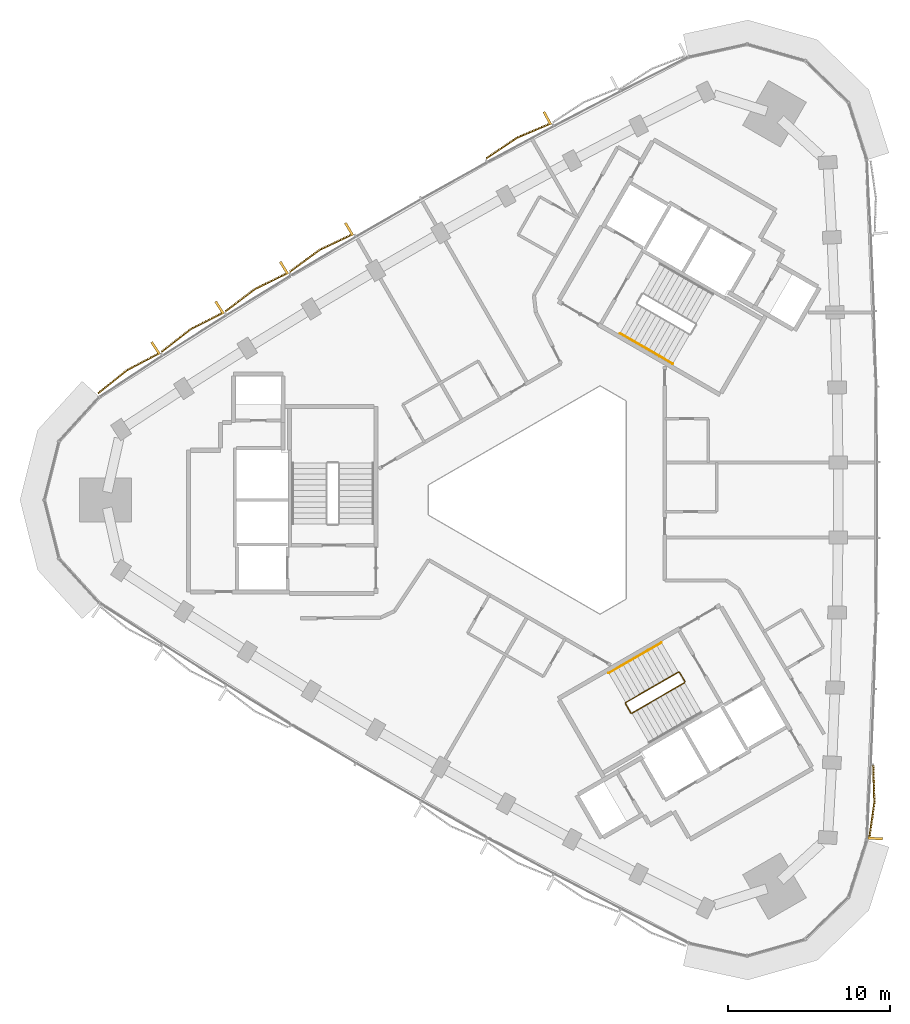
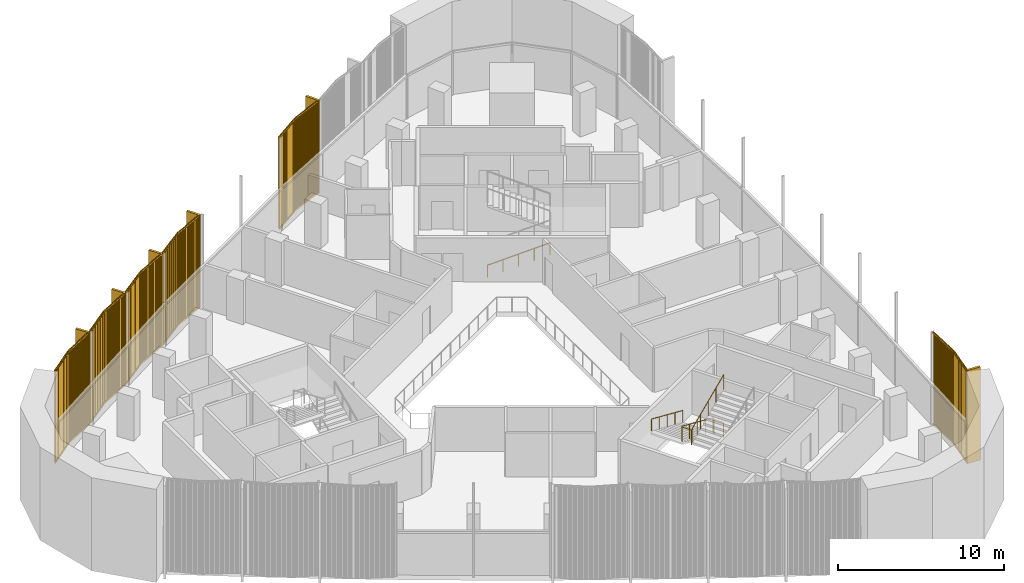
# One storey, part 12 of 13: 6 coverings, 3 railings.
"""IFC4 building model written with IfcOpenShell, lengths in metres."""

from ifc_helpers import new_model, si_unit, direction, frame, frame_2d, origin, origin_2d, place, context, subcontext, project, spatial, rectangle, circle, extrude, source, transform, mapped, material, type_object, element, save


model = new_model("IFC4")

# Units and contexts
model_context = context("Model", 3, precision=1e-05, world=origin(), true_north=direction((0.0, 1.0)))
body_context = subcontext(model_context, "Body", "Model", "MODEL_VIEW")
ifc_project = project(units=[si_unit("LENGTHUNIT", "METRE"), si_unit("AREAUNIT", "SQUARE_METRE"), si_unit("VOLUMEUNIT", "CUBIC_METRE"), si_unit("PLANEANGLEUNIT", "RADIAN"), si_unit("MASSUNIT", "GRAM", prefix="KILO")], contexts=[model_context])

# Site, building, storey
site_placement = place(None, origin())
site = spatial("IfcSite", under=ifc_project, at=site_placement, CompositionType="ELEMENT")
building_placement = place(site_placement, origin())
building = spatial("IfcBuilding", under=site, at=building_placement, Name="Tamra Quay Hotel Tower", CompositionType="ELEMENT")
storey_placement = place(building_placement, frame((0.0, 0.0, 186.39990234375)))
storey = spatial("IfcBuildingStorey", under=building, at=storey_placement, Name="L46", CompositionType="ELEMENT", Elevation=186.39990234375)

# Railings
ifc_material_1 = material(Name="Stair guard 1100")
railing_type_1 = type_object("IfcRailingType", Name="Stair guard 1100", PredefinedType="GUARDRAIL", material=ifc_material_1)
railing_1_placement = place(storey_placement, frame((8.245849609375, -11.221923828125, 0.0)))
element("IfcRailing", 1, at=railing_1_placement, inside=storey, type_object=railing_type_1, Name="GR", PredefinedType="GUARDRAIL", context=body_context, shape_type="SweptSolid", body=[
    extrude(circle(Radius=0.02392578125, at=origin_2d()), frame((0.0, 0.0, 1.076171875), z_axis=(-0.500043078269, 0.866000531106, 0.0), x_axis=(-0.866000531106, -0.500043078269, 0.0)), (0.0, 0.0, 1.0), 0.6591796875),
    extrude(circle(Radius=0.02392578125, at=origin_2d()), frame((-0.32958984375, 0.57080078125, 1.076171875), z_axis=(-0.411831509231, 0.110312011401, 0.90455849349), x_axis=(-0.258736085224, -0.965948051503, 0.0)), (0.0, 0.0, 1.0), 0.166015625),
    extrude(circle(Radius=0.02392578125, at=origin_2d()), frame((-0.39794921875, 0.589111328125, 1.22607421875), z_axis=(-0.793100512587, -0.457912285461, 0.401631567183), x_axis=(0.500012686397, -0.866018079166, 0.0)), (0.0, 0.0, 1.0), 4.10791015625),
    extrude(circle(Radius=0.02392578125, at=origin_2d()), frame((-3.656005859375, -1.2919921875, 2.8759765625), z_axis=(-0.256368644879, -0.966579080015, 0.0), x_axis=(0.966579080015, -0.256368644879, 0.0)), (0.0, 0.0, 1.0), 0.070556640625),
    extrude(circle(Radius=0.02392578125, at=origin_2d()), frame((-3.674072265625, -1.360107421875, 2.8759765625), z_axis=(0.499765215335, -0.866160914346, 0.0), x_axis=(0.866160914346, 0.499765215335, 0.0)), (0.0, 0.0, 1.0), 0.658935546875),
    extrude(circle(Radius=0.02392578125, at=origin_2d()), frame((-3.3447265625, -1.930908203125, 2.8759765625), z_axis=(0.411831509231, -0.110312011401, 0.90455849349), x_axis=(0.258736085224, 0.965948051503, 0.0)), (0.0, 0.0, 1.0), 0.166015625),
    extrude(circle(Radius=0.02392578125, at=origin_2d()), frame((-3.2763671875, -1.94921875, 3.0263671875), z_axis=(0.793100512587, 0.457912285461, 0.401631567183), x_axis=(-0.500012686397, 0.866018079166, 0.0)), (0.0, 0.0, 1.0), 4.10791015625),
    extrude(circle(Radius=0.02099609375, at=origin_2d()), origin(), (0.0, 0.0, 1.0), 1.052001953125),
    extrude(circle(Radius=0.02099609375, at=origin_2d()), frame((-0.32958984375, 0.57080078125, 0.0)), (0.0, 0.0, 1.0), 1.052001953125),
    extrude(circle(Radius=0.02099609375, at=origin_2d()), frame((-0.39794921875, 0.589111328125, 0.150146484375)), (0.0, 0.0, 1.0), 1.052001953125),
    extrude(circle(Radius=0.02099609375, at=origin_2d()), frame((-1.21240234375, 0.118896484375, 0.5625)), (0.0, 0.0, 1.0), 1.052001953125),
    extrude(circle(Radius=0.02099609375, at=origin_2d()), frame((-2.02685546875, -0.3515625, 0.97509765625)), (0.0, 0.0, 1.0), 1.052001953125),
    extrude(circle(Radius=0.02099609375, at=origin_2d()), frame((-2.841552734375, -0.82177734375, 1.3876953125)), (0.0, 0.0, 1.0), 1.052001953125),
    extrude(circle(Radius=0.02099609375, at=origin_2d()), frame((-3.656005859375, -1.2919921875, 1.800048828125)), (0.0, 0.0, 1.0), 1.052001953125),
    extrude(circle(Radius=0.02099609375, at=origin_2d()), frame((-3.674072265625, -1.360107421875, 1.800048828125)), (0.0, 0.0, 1.0), 1.052001953125),
    extrude(circle(Radius=0.02099609375, at=origin_2d()), frame((-3.3447265625, -1.930908203125, 1.800048828125)), (0.0, 0.0, 1.0), 1.052001953125),
    extrude(circle(Radius=0.02099609375, at=origin_2d()), frame((-3.2763671875, -1.94921875, 1.9501953125)), (0.0, 0.0, 1.0), 1.052001953125),
    extrude(circle(Radius=0.02099609375, at=origin_2d()), frame((-2.4619140625, -1.47900390625, 2.36279296875)), (0.0, 0.0, 1.0), 1.052001953125),
    extrude(circle(Radius=0.02099609375, at=origin_2d()), frame((-1.6474609375, -1.0087890625, 2.775146484375)), (0.0, 0.0, 1.0), 1.052001953125),
    extrude(circle(Radius=0.02099609375, at=origin_2d()), frame((-0.832763671875, -0.538330078125, 3.1875)), (0.0, 0.0, 1.0), 1.052001953125),
    extrude(circle(Radius=0.02099609375, at=origin_2d()), frame((-0.018310546875, -0.068115234375, 3.60009765625)), (0.0, 0.0, 1.0), 1.052001953125),
])
ifc_material_2 = material(Name="Stair handrail 900")
railing_type_2 = type_object("IfcRailingType", Name="Stair handrail 900", PredefinedType="HANDRAIL", material=ifc_material_2)
railing_2_placement = place(storey_placement, frame((4.234375, 10.294189453125, 0.150146484375)))
element("IfcRailing", 2, at=railing_2_placement, inside=storey, type_object=railing_type_2, Name="HR", PredefinedType="HANDRAIL", context=body_context, shape_type="SweptSolid", body=[
    extrude(circle(Radius=0.02392578125, at=origin_2d()), frame((0.0, 0.0, 0.8759765625), z_axis=(0.793122095483, -0.45786531462, 0.401642496911), x_axis=(0.499964013922, 0.86604617936, 0.0)), (0.0, 0.0, 1.0), 4.10791015625),
    extrude(circle(Radius=0.02099609375, at=origin_2d()), origin(), (0.0, 0.0, 1.0), 0.851806640625),
    extrude(circle(Radius=0.02099609375, at=origin_2d()), frame((0.814453125, -0.47021484375, 0.41259765625)), (0.0, 0.0, 1.0), 0.851806640625),
    extrude(circle(Radius=0.02099609375, at=origin_2d()), frame((1.62890625, -0.9404296875, 0.824951171875)), (0.0, 0.0, 1.0), 0.851806640625),
    extrude(circle(Radius=0.02099609375, at=origin_2d()), frame((2.443603515625, -1.41064453125, 1.2373046875)), (0.0, 0.0, 1.0), 0.851806640625),
    extrude(circle(Radius=0.02099609375, at=origin_2d()), frame((3.258056640625, -1.880859375, 1.64990234375)), (0.0, 0.0, 1.0), 0.851806640625),
])
railing_3_placement = place(storey_placement, frame((6.7978515625, -8.814208984375, 0.150146484375)))
element("IfcRailing", 3, at=railing_3_placement, inside=storey, type_object=railing_type_2, Name="HR", PredefinedType="HANDRAIL", context=body_context, shape_type="SweptSolid", body=[
    extrude(circle(Radius=0.02392578125, at=origin_2d()), frame((0.0, 0.0, 0.8759765625), z_axis=(-0.79310004713, -0.457886897714, 0.401661429744), x_axis=(0.499992114976, -0.866029956157, 0.0)), (0.0, 0.0, 1.0), 4.107666015625),
    extrude(circle(Radius=0.02099609375, at=origin_2d()), origin(), (0.0, 0.0, 1.0), 0.851806640625),
    extrude(circle(Radius=0.02099609375, at=origin_2d()), frame((-0.814453125, -0.47021484375, 0.41259765625)), (0.0, 0.0, 1.0), 0.851806640625),
    extrude(circle(Radius=0.02099609375, at=origin_2d()), frame((-1.62890625, -0.9404296875, 0.824951171875)), (0.0, 0.0, 1.0), 0.851806640625),
    extrude(circle(Radius=0.02099609375, at=origin_2d()), frame((-2.443359375, -1.41064453125, 1.2373046875)), (0.0, 0.0, 1.0), 0.851806640625),
    extrude(circle(Radius=0.02099609375, at=origin_2d()), frame((-3.2578125, -1.880859375, 1.64990234375)), (0.0, 0.0, 1.0), 0.851806640625),
])

# Coverings
ifc_material_3 = material(Name="Terracotta baguette extruded", Category="masonry")
covering_type_1 = type_object("IfcCoveringType", Name="BAGUETTE SCREEN E-V H6850", PredefinedType="USERDEFINED", material=ifc_material_3)
shared_shape_1 = source(origin(), body_context, "Body", "SweptSolid", [
    extrude(rectangle(XDim=2.30126953125, YDim=0.06005859375, at=frame_2d((1.150634765625, 0.030029296875))), frame((-2.2978515625, -0.057861328125, -0.1201171875), z_axis=(0.0, 0.0, 1.0), x_axis=(0.996194698092, -0.087155742748, 0.0)), (0.0, 0.0, 1.0), 0.1201171875),
    extrude(rectangle(XDim=2.30126953125, YDim=0.06005859375, at=frame_2d((1.150634765625, 0.030029296875))), frame((-2.2978515625, -0.057861328125, -6.85009765625), z_axis=(0.0, 0.0, 1.0), x_axis=(0.996194698092, -0.087155742748, 0.0)), (0.0, 0.0, 1.0), 0.1201171875),
    extrude(rectangle(XDim=0.070068359375, YDim=0.10009765625, at=frame_2d((0.03515625, 0.050048828125))), frame((-2.277587890625, -0.13232421875, -6.7900390625)), (0.0, 0.0, 1.0), 6.72998046875),
    extrude(rectangle(XDim=0.070068359375, YDim=0.10009765625, at=frame_2d((0.03515625, 0.050048828125))), frame((-2.177978515625, -0.14111328125, -6.7900390625)), (0.0, 0.0, 1.0), 6.72998046875),
    extrude(rectangle(XDim=0.070068359375, YDim=0.10009765625, at=frame_2d((0.03515625, 0.050048828125))), frame((-2.078369140625, -0.14990234375, -6.7900390625)), (0.0, 0.0, 1.0), 6.72998046875),
    extrude(rectangle(XDim=0.070068359375, YDim=0.10009765625, at=frame_2d((0.03515625, 0.050048828125))), frame((-1.978759765625, -0.158447265625, -6.7900390625)), (0.0, 0.0, 1.0), 6.72998046875),
    extrude(rectangle(XDim=0.070068359375, YDim=0.10009765625, at=frame_2d((0.03515625, 0.050048828125))), frame((-1.87890625, -0.167236328125, -6.7900390625)), (0.0, 0.0, 1.0), 6.72998046875),
    extrude(rectangle(XDim=0.070068359375, YDim=0.10009765625, at=frame_2d((0.03515625, 0.050048828125))), frame((-1.779296875, -0.176025390625, -6.7900390625)), (0.0, 0.0, 1.0), 6.72998046875),
    extrude(rectangle(XDim=0.070068359375, YDim=0.10009765625, at=frame_2d((0.03515625, 0.050048828125))), frame((-1.6796875, -0.1845703125, -6.7900390625)), (0.0, 0.0, 1.0), 6.72998046875),
    extrude(rectangle(XDim=0.070068359375, YDim=0.10009765625, at=frame_2d((0.03515625, 0.050048828125))), frame((-1.579833984375, -0.193359375, -6.7900390625)), (0.0, 0.0, 1.0), 6.72998046875),
    extrude(rectangle(XDim=0.070068359375, YDim=0.10009765625, at=frame_2d((0.03515625, 0.050048828125))), frame((-1.480224609375, -0.2021484375, -6.7900390625)), (0.0, 0.0, 1.0), 6.72998046875),
    extrude(rectangle(XDim=0.070068359375, YDim=0.10009765625, at=frame_2d((0.03515625, 0.050048828125))), frame((-1.380615234375, -0.2109375, -6.7900390625)), (0.0, 0.0, 1.0), 6.72998046875),
    extrude(rectangle(XDim=0.070068359375, YDim=0.10009765625, at=frame_2d((0.03515625, 0.050048828125))), frame((-1.281005859375, -0.219482421875, -6.7900390625)), (0.0, 0.0, 1.0), 6.72998046875),
    extrude(rectangle(XDim=0.070068359375, YDim=0.10009765625, at=frame_2d((0.03515625, 0.050048828125))), frame((-1.18115234375, -0.228271484375, -6.7900390625)), (0.0, 0.0, 1.0), 6.72998046875),
    extrude(rectangle(XDim=0.070068359375, YDim=0.10009765625, at=frame_2d((0.03515625, 0.050048828125))), frame((-1.08154296875, -0.237060546875, -6.7900390625)), (0.0, 0.0, 1.0), 6.72998046875),
    extrude(rectangle(XDim=0.070068359375, YDim=0.10009765625, at=frame_2d((0.03515625, 0.050048828125))), frame((-0.98193359375, -0.24560546875, -6.7900390625)), (0.0, 0.0, 1.0), 6.72998046875),
    extrude(rectangle(XDim=0.070068359375, YDim=0.10009765625, at=frame_2d((0.03515625, 0.050048828125))), frame((-0.88232421875, -0.25439453125, -6.7900390625)), (0.0, 0.0, 1.0), 6.72998046875),
    extrude(rectangle(XDim=0.070068359375, YDim=0.10009765625, at=frame_2d((0.03515625, 0.050048828125))), frame((-0.782470703125, -0.26318359375, -6.7900390625)), (0.0, 0.0, 1.0), 6.72998046875),
    extrude(rectangle(XDim=0.070068359375, YDim=0.10009765625, at=frame_2d((0.03515625, 0.050048828125))), frame((-0.682861328125, -0.27197265625, -6.7900390625)), (0.0, 0.0, 1.0), 6.72998046875),
    extrude(rectangle(XDim=0.070068359375, YDim=0.10009765625, at=frame_2d((0.03515625, 0.050048828125))), frame((-0.583251953125, -0.280517578125, -6.7900390625)), (0.0, 0.0, 1.0), 6.72998046875),
    extrude(rectangle(XDim=0.070068359375, YDim=0.10009765625, at=frame_2d((0.03515625, 0.050048828125))), frame((-0.483642578125, -0.289306640625, -6.7900390625)), (0.0, 0.0, 1.0), 6.72998046875),
    extrude(rectangle(XDim=0.070068359375, YDim=0.10009765625, at=frame_2d((0.03515625, 0.050048828125))), frame((-0.3837890625, -0.298095703125, -6.7900390625)), (0.0, 0.0, 1.0), 6.72998046875),
    extrude(rectangle(XDim=0.070068359375, YDim=0.10009765625, at=frame_2d((0.03515625, 0.050048828125))), frame((-0.2841796875, -0.306884765625, -6.7900390625)), (0.0, 0.0, 1.0), 6.72998046875),
    extrude(rectangle(XDim=0.070068359375, YDim=0.10009765625, at=frame_2d((0.03515625, 0.050048828125))), frame((-0.1845703125, -0.3154296875, -6.7900390625)), (0.0, 0.0, 1.0), 6.72998046875),
    extrude(rectangle(XDim=0.070068359375, YDim=0.10009765625, at=frame_2d((0.03515625, 0.050048828125))), frame((-0.0849609375, -0.32421875, -6.7900390625)), (0.0, 0.0, 1.0), 6.72998046875),
    extrude(rectangle(XDim=2.30126953125, YDim=0.06005859375, at=frame_2d((1.150634765625, 0.030029296875))), frame((0.005126953125, -0.25830078125, -0.1201171875), z_axis=(0.0, 0.0, 1.0), x_axis=(0.996194698092, 0.087155742748, 0.0)), (0.0, 0.0, 1.0), 0.1201171875),
    extrude(rectangle(XDim=2.30126953125, YDim=0.06005859375, at=frame_2d((1.150634765625, 0.030029296875))), frame((0.005126953125, -0.25830078125, -6.85009765625), z_axis=(0.0, 0.0, 1.0), x_axis=(0.996194698092, 0.087155742748, 0.0)), (0.0, 0.0, 1.0), 0.1201171875),
    extrude(rectangle(XDim=0.070068359375, YDim=0.10009765625, at=frame_2d((0.03515625, 0.050048828125))), frame((0.014892578125, -0.32421875, -6.7900390625)), (0.0, 0.0, 1.0), 6.72998046875),
    extrude(rectangle(XDim=0.070068359375, YDim=0.10009765625, at=frame_2d((0.03515625, 0.050048828125))), frame((0.114501953125, -0.3154296875, -6.7900390625)), (0.0, 0.0, 1.0), 6.72998046875),
    extrude(rectangle(XDim=0.070068359375, YDim=0.10009765625, at=frame_2d((0.03515625, 0.050048828125))), frame((0.214111328125, -0.306884765625, -6.7900390625)), (0.0, 0.0, 1.0), 6.72998046875),
    extrude(rectangle(XDim=0.070068359375, YDim=0.10009765625, at=frame_2d((0.03515625, 0.050048828125))), frame((0.31396484375, -0.298095703125, -6.7900390625)), (0.0, 0.0, 1.0), 6.72998046875),
    extrude(rectangle(XDim=0.070068359375, YDim=0.10009765625, at=frame_2d((0.03515625, 0.050048828125))), frame((0.41357421875, -0.289306640625, -6.7900390625)), (0.0, 0.0, 1.0), 6.72998046875),
    extrude(rectangle(XDim=0.070068359375, YDim=0.10009765625, at=frame_2d((0.03515625, 0.050048828125))), frame((0.51318359375, -0.280517578125, -6.7900390625)), (0.0, 0.0, 1.0), 6.72998046875),
    extrude(rectangle(XDim=0.070068359375, YDim=0.10009765625, at=frame_2d((0.03515625, 0.050048828125))), frame((0.61279296875, -0.27197265625, -6.7900390625)), (0.0, 0.0, 1.0), 6.72998046875),
    extrude(rectangle(XDim=0.070068359375, YDim=0.10009765625, at=frame_2d((0.03515625, 0.050048828125))), frame((0.712646484375, -0.26318359375, -6.7900390625)), (0.0, 0.0, 1.0), 6.72998046875),
    extrude(rectangle(XDim=0.070068359375, YDim=0.10009765625, at=frame_2d((0.03515625, 0.050048828125))), frame((0.812255859375, -0.25439453125, -6.7900390625)), (0.0, 0.0, 1.0), 6.72998046875),
    extrude(rectangle(XDim=0.070068359375, YDim=0.10009765625, at=frame_2d((0.03515625, 0.050048828125))), frame((0.911865234375, -0.24560546875, -6.7900390625)), (0.0, 0.0, 1.0), 6.72998046875),
    extrude(rectangle(XDim=0.070068359375, YDim=0.10009765625, at=frame_2d((0.03515625, 0.050048828125))), frame((1.011474609375, -0.237060546875, -6.7900390625)), (0.0, 0.0, 1.0), 6.72998046875),
    extrude(rectangle(XDim=0.070068359375, YDim=0.10009765625, at=frame_2d((0.03515625, 0.050048828125))), frame((1.111328125, -0.228271484375, -6.7900390625)), (0.0, 0.0, 1.0), 6.72998046875),
    extrude(rectangle(XDim=0.070068359375, YDim=0.10009765625, at=frame_2d((0.03515625, 0.050048828125))), frame((1.2109375, -0.219482421875, -6.7900390625)), (0.0, 0.0, 1.0), 6.72998046875),
    extrude(rectangle(XDim=0.070068359375, YDim=0.10009765625, at=frame_2d((0.03515625, 0.050048828125))), frame((1.310546875, -0.2109375, -6.7900390625)), (0.0, 0.0, 1.0), 6.72998046875),
    extrude(rectangle(XDim=0.070068359375, YDim=0.10009765625, at=frame_2d((0.03515625, 0.050048828125))), frame((1.41015625, -0.2021484375, -6.7900390625)), (0.0, 0.0, 1.0), 6.72998046875),
    extrude(rectangle(XDim=0.070068359375, YDim=0.10009765625, at=frame_2d((0.03515625, 0.050048828125))), frame((1.510009765625, -0.193359375, -6.7900390625)), (0.0, 0.0, 1.0), 6.72998046875),
    extrude(rectangle(XDim=0.070068359375, YDim=0.10009765625, at=frame_2d((0.03515625, 0.050048828125))), frame((1.609619140625, -0.1845703125, -6.7900390625)), (0.0, 0.0, 1.0), 6.72998046875),
    extrude(rectangle(XDim=0.070068359375, YDim=0.10009765625, at=frame_2d((0.03515625, 0.050048828125))), frame((1.709228515625, -0.176025390625, -6.7900390625)), (0.0, 0.0, 1.0), 6.72998046875),
    extrude(rectangle(XDim=0.070068359375, YDim=0.10009765625, at=frame_2d((0.03515625, 0.050048828125))), frame((1.80908203125, -0.167236328125, -6.7900390625)), (0.0, 0.0, 1.0), 6.72998046875),
    extrude(rectangle(XDim=0.070068359375, YDim=0.10009765625, at=frame_2d((0.03515625, 0.050048828125))), frame((1.90869140625, -0.158447265625, -6.7900390625)), (0.0, 0.0, 1.0), 6.72998046875),
    extrude(rectangle(XDim=0.070068359375, YDim=0.10009765625, at=frame_2d((0.03515625, 0.050048828125))), frame((2.00830078125, -0.14990234375, -6.7900390625)), (0.0, 0.0, 1.0), 6.72998046875),
    extrude(rectangle(XDim=0.070068359375, YDim=0.10009765625, at=frame_2d((0.03515625, 0.050048828125))), frame((2.10791015625, -0.14111328125, -6.7900390625)), (0.0, 0.0, 1.0), 6.72998046875),
    extrude(rectangle(XDim=0.070068359375, YDim=0.10009765625, at=frame_2d((0.03515625, 0.050048828125))), frame((2.207763671875, -0.13232421875, -6.7900390625)), (0.0, 0.0, 1.0), 6.72998046875),
    extrude(rectangle(XDim=0.14990234375, YDim=0.902099609375, at=frame_2d((0.074951171875, 0.451171875))), frame((-2.29248046875, -0.89990234375, -6.85009765625)), (0.0, 0.0, 1.0), 6.85009765625),
])
covering_placement = place(storey_placement, frame((19.69287109375, -18.678466796875, 6.85009765625), z_axis=(0.0, 0.0, 1.0), x_axis=(0.055416308058, 0.998463335732, 0.0)))
element("IfcCovering", 4, at=covering_placement, inside=storey, type_object=covering_type_1, Name="Baguette screen L46.E.f00", ObjectType="BAGUETTE SCREEN", PredefinedType="USERDEFINED", context=body_context, shape_type="MappedRepresentation", body=[
    mapped(shared_shape_1, transform((0.0, 0.0, 0.0), scale=1.0)),
])
covering_type_2 = type_object("IfcCoveringType", Name="BAGUETTE SCREEN NW-V H6850", PredefinedType="USERDEFINED", material=ifc_material_3)
shared_shape_2 = source(origin(), body_context, "Body", "SweptSolid", [
    extrude(rectangle(XDim=2.302978515625, YDim=0.06005859375, at=frame_2d((1.1513671875, 0.030029296875))), frame((-2.29833984375, -0.0576171875, -0.1201171875), z_axis=(0.0, 0.0, 1.0), x_axis=(0.995396198367, -0.09584575252, 0.0)), (0.0, 0.0, 1.0), 0.1201171875),
    extrude(rectangle(XDim=2.302978515625, YDim=0.06005859375, at=frame_2d((1.1513671875, 0.030029296875))), frame((-2.29833984375, -0.0576171875, -6.85009765625), z_axis=(0.0, 0.0, 1.0), x_axis=(0.995396198367, -0.09584575252, 0.0)), (0.0, 0.0, 1.0), 0.1201171875),
    extrude(rectangle(XDim=0.070068359375, YDim=0.10009765625, at=frame_2d((0.03515625, 0.050048828125))), frame((-2.277587890625, -0.1328125, -6.7900390625)), (0.0, 0.0, 1.0), 6.72998046875),
    extrude(rectangle(XDim=0.070068359375, YDim=0.10009765625, at=frame_2d((0.03515625, 0.050048828125))), frame((-2.177978515625, -0.142333984375, -6.7900390625)), (0.0, 0.0, 1.0), 6.72998046875),
    extrude(rectangle(XDim=0.070068359375, YDim=0.10009765625, at=frame_2d((0.03515625, 0.050048828125))), frame((-2.078369140625, -0.152099609375, -6.7900390625)), (0.0, 0.0, 1.0), 6.72998046875),
    extrude(rectangle(XDim=0.070068359375, YDim=0.10009765625, at=frame_2d((0.03515625, 0.050048828125))), frame((-1.978759765625, -0.16162109375, -6.7900390625)), (0.0, 0.0, 1.0), 6.72998046875),
    extrude(rectangle(XDim=0.070068359375, YDim=0.10009765625, at=frame_2d((0.03515625, 0.050048828125))), frame((-1.87890625, -0.171142578125, -6.7900390625)), (0.0, 0.0, 1.0), 6.72998046875),
    extrude(rectangle(XDim=0.070068359375, YDim=0.10009765625, at=frame_2d((0.03515625, 0.050048828125))), frame((-1.779296875, -0.180908203125, -6.7900390625)), (0.0, 0.0, 1.0), 6.72998046875),
    extrude(rectangle(XDim=0.070068359375, YDim=0.10009765625, at=frame_2d((0.03515625, 0.050048828125))), frame((-1.6796875, -0.1904296875, -6.7900390625)), (0.0, 0.0, 1.0), 6.72998046875),
    extrude(rectangle(XDim=0.070068359375, YDim=0.10009765625, at=frame_2d((0.03515625, 0.050048828125))), frame((-1.579833984375, -0.199951171875, -6.7900390625)), (0.0, 0.0, 1.0), 6.72998046875),
    extrude(rectangle(XDim=0.070068359375, YDim=0.10009765625, at=frame_2d((0.03515625, 0.050048828125))), frame((-1.480224609375, -0.20947265625, -6.7900390625)), (0.0, 0.0, 1.0), 6.72998046875),
    extrude(rectangle(XDim=0.070068359375, YDim=0.10009765625, at=frame_2d((0.03515625, 0.050048828125))), frame((-1.380615234375, -0.21923828125, -6.7900390625)), (0.0, 0.0, 1.0), 6.72998046875),
    extrude(rectangle(XDim=0.070068359375, YDim=0.10009765625, at=frame_2d((0.03515625, 0.050048828125))), frame((-1.281005859375, -0.228759765625, -6.7900390625)), (0.0, 0.0, 1.0), 6.72998046875),
    extrude(rectangle(XDim=0.070068359375, YDim=0.10009765625, at=frame_2d((0.03515625, 0.050048828125))), frame((-1.18115234375, -0.23828125, -6.7900390625)), (0.0, 0.0, 1.0), 6.72998046875),
    extrude(rectangle(XDim=0.070068359375, YDim=0.10009765625, at=frame_2d((0.03515625, 0.050048828125))), frame((-1.08154296875, -0.248046875, -6.7900390625)), (0.0, 0.0, 1.0), 6.72998046875),
    extrude(rectangle(XDim=0.070068359375, YDim=0.10009765625, at=frame_2d((0.03515625, 0.050048828125))), frame((-0.98193359375, -0.257568359375, -6.7900390625)), (0.0, 0.0, 1.0), 6.72998046875),
    extrude(rectangle(XDim=0.070068359375, YDim=0.10009765625, at=frame_2d((0.03515625, 0.050048828125))), frame((-0.88232421875, -0.26708984375, -6.7900390625)), (0.0, 0.0, 1.0), 6.72998046875),
    extrude(rectangle(XDim=0.070068359375, YDim=0.10009765625, at=frame_2d((0.03515625, 0.050048828125))), frame((-0.782470703125, -0.27685546875, -6.7900390625)), (0.0, 0.0, 1.0), 6.72998046875),
    extrude(rectangle(XDim=0.070068359375, YDim=0.10009765625, at=frame_2d((0.03515625, 0.050048828125))), frame((-0.682861328125, -0.286376953125, -6.7900390625)), (0.0, 0.0, 1.0), 6.72998046875),
    extrude(rectangle(XDim=0.070068359375, YDim=0.10009765625, at=frame_2d((0.03515625, 0.050048828125))), frame((-0.583251953125, -0.2958984375, -6.7900390625)), (0.0, 0.0, 1.0), 6.72998046875),
    extrude(rectangle(XDim=0.070068359375, YDim=0.10009765625, at=frame_2d((0.03515625, 0.050048828125))), frame((-0.483642578125, -0.3056640625, -6.7900390625)), (0.0, 0.0, 1.0), 6.72998046875),
    extrude(rectangle(XDim=0.070068359375, YDim=0.10009765625, at=frame_2d((0.03515625, 0.050048828125))), frame((-0.3837890625, -0.315185546875, -6.7900390625)), (0.0, 0.0, 1.0), 6.72998046875),
    extrude(rectangle(XDim=0.070068359375, YDim=0.10009765625, at=frame_2d((0.03515625, 0.050048828125))), frame((-0.2841796875, -0.32470703125, -6.7900390625)), (0.0, 0.0, 1.0), 6.72998046875),
    extrude(rectangle(XDim=0.070068359375, YDim=0.10009765625, at=frame_2d((0.03515625, 0.050048828125))), frame((-0.1845703125, -0.334228515625, -6.7900390625)), (0.0, 0.0, 1.0), 6.72998046875),
    extrude(rectangle(XDim=0.070068359375, YDim=0.10009765625, at=frame_2d((0.03515625, 0.050048828125))), frame((-0.0849609375, -0.343994140625, -6.7900390625)), (0.0, 0.0, 1.0), 6.72998046875),
    extrude(rectangle(XDim=2.302978515625, YDim=0.06005859375, at=frame_2d((1.1513671875, 0.030029296875))), frame((0.005859375, -0.278564453125, -0.1201171875), z_axis=(0.0, 0.0, 1.0), x_axis=(0.995396198367, 0.09584575252, 0.0)), (0.0, 0.0, 1.0), 0.1201171875),
    extrude(rectangle(XDim=2.302978515625, YDim=0.06005859375, at=frame_2d((1.1513671875, 0.030029296875))), frame((0.005859375, -0.278564453125, -6.85009765625), z_axis=(0.0, 0.0, 1.0), x_axis=(0.995396198367, 0.09584575252, 0.0)), (0.0, 0.0, 1.0), 0.1201171875),
    extrude(rectangle(XDim=0.070068359375, YDim=0.10009765625, at=frame_2d((0.03515625, 0.050048828125))), frame((0.014892578125, -0.343994140625, -6.7900390625)), (0.0, 0.0, 1.0), 6.72998046875),
    extrude(rectangle(XDim=0.070068359375, YDim=0.10009765625, at=frame_2d((0.03515625, 0.050048828125))), frame((0.114501953125, -0.334228515625, -6.7900390625)), (0.0, 0.0, 1.0), 6.72998046875),
    extrude(rectangle(XDim=0.070068359375, YDim=0.10009765625, at=frame_2d((0.03515625, 0.050048828125))), frame((0.214111328125, -0.32470703125, -6.7900390625)), (0.0, 0.0, 1.0), 6.72998046875),
    extrude(rectangle(XDim=0.070068359375, YDim=0.10009765625, at=frame_2d((0.03515625, 0.050048828125))), frame((0.31396484375, -0.315185546875, -6.7900390625)), (0.0, 0.0, 1.0), 6.72998046875),
    extrude(rectangle(XDim=0.070068359375, YDim=0.10009765625, at=frame_2d((0.03515625, 0.050048828125))), frame((0.41357421875, -0.3056640625, -6.7900390625)), (0.0, 0.0, 1.0), 6.72998046875),
    extrude(rectangle(XDim=0.070068359375, YDim=0.10009765625, at=frame_2d((0.03515625, 0.050048828125))), frame((0.51318359375, -0.2958984375, -6.7900390625)), (0.0, 0.0, 1.0), 6.72998046875),
    extrude(rectangle(XDim=0.070068359375, YDim=0.10009765625, at=frame_2d((0.03515625, 0.050048828125))), frame((0.61279296875, -0.286376953125, -6.7900390625)), (0.0, 0.0, 1.0), 6.72998046875),
    extrude(rectangle(XDim=0.070068359375, YDim=0.10009765625, at=frame_2d((0.03515625, 0.050048828125))), frame((0.712646484375, -0.27685546875, -6.7900390625)), (0.0, 0.0, 1.0), 6.72998046875),
    extrude(rectangle(XDim=0.070068359375, YDim=0.10009765625, at=frame_2d((0.03515625, 0.050048828125))), frame((0.812255859375, -0.26708984375, -6.7900390625)), (0.0, 0.0, 1.0), 6.72998046875),
    extrude(rectangle(XDim=0.070068359375, YDim=0.10009765625, at=frame_2d((0.03515625, 0.050048828125))), frame((0.911865234375, -0.257568359375, -6.7900390625)), (0.0, 0.0, 1.0), 6.72998046875),
    extrude(rectangle(XDim=0.070068359375, YDim=0.10009765625, at=frame_2d((0.03515625, 0.050048828125))), frame((1.011474609375, -0.248046875, -6.7900390625)), (0.0, 0.0, 1.0), 6.72998046875),
    extrude(rectangle(XDim=0.070068359375, YDim=0.10009765625, at=frame_2d((0.03515625, 0.050048828125))), frame((1.111328125, -0.23828125, -6.7900390625)), (0.0, 0.0, 1.0), 6.72998046875),
    extrude(rectangle(XDim=0.070068359375, YDim=0.10009765625, at=frame_2d((0.03515625, 0.050048828125))), frame((1.2109375, -0.228759765625, -6.7900390625)), (0.0, 0.0, 1.0), 6.72998046875),
    extrude(rectangle(XDim=0.070068359375, YDim=0.10009765625, at=frame_2d((0.03515625, 0.050048828125))), frame((1.310546875, -0.21923828125, -6.7900390625)), (0.0, 0.0, 1.0), 6.72998046875),
    extrude(rectangle(XDim=0.070068359375, YDim=0.10009765625, at=frame_2d((0.03515625, 0.050048828125))), frame((1.41015625, -0.20947265625, -6.7900390625)), (0.0, 0.0, 1.0), 6.72998046875),
    extrude(rectangle(XDim=0.070068359375, YDim=0.10009765625, at=frame_2d((0.03515625, 0.050048828125))), frame((1.510009765625, -0.199951171875, -6.7900390625)), (0.0, 0.0, 1.0), 6.72998046875),
    extrude(rectangle(XDim=0.070068359375, YDim=0.10009765625, at=frame_2d((0.03515625, 0.050048828125))), frame((1.609619140625, -0.1904296875, -6.7900390625)), (0.0, 0.0, 1.0), 6.72998046875),
    extrude(rectangle(XDim=0.070068359375, YDim=0.10009765625, at=frame_2d((0.03515625, 0.050048828125))), frame((1.709228515625, -0.180908203125, -6.7900390625)), (0.0, 0.0, 1.0), 6.72998046875),
    extrude(rectangle(XDim=0.070068359375, YDim=0.10009765625, at=frame_2d((0.03515625, 0.050048828125))), frame((1.80908203125, -0.171142578125, -6.7900390625)), (0.0, 0.0, 1.0), 6.72998046875),
    extrude(rectangle(XDim=0.070068359375, YDim=0.10009765625, at=frame_2d((0.03515625, 0.050048828125))), frame((1.90869140625, -0.16162109375, -6.7900390625)), (0.0, 0.0, 1.0), 6.72998046875),
    extrude(rectangle(XDim=0.070068359375, YDim=0.10009765625, at=frame_2d((0.03515625, 0.050048828125))), frame((2.00830078125, -0.152099609375, -6.7900390625)), (0.0, 0.0, 1.0), 6.72998046875),
    extrude(rectangle(XDim=0.070068359375, YDim=0.10009765625, at=frame_2d((0.03515625, 0.050048828125))), frame((2.10791015625, -0.142333984375, -6.7900390625)), (0.0, 0.0, 1.0), 6.72998046875),
    extrude(rectangle(XDim=0.070068359375, YDim=0.10009765625, at=frame_2d((0.03515625, 0.050048828125))), frame((2.207763671875, -0.1328125, -6.7900390625)), (0.0, 0.0, 1.0), 6.72998046875),
    extrude(rectangle(XDim=0.14990234375, YDim=0.902099609375, at=frame_2d((0.074951171875, 0.451171875))), frame((-2.29248046875, -0.89990234375, -6.85009765625)), (0.0, 0.0, 1.0), 6.85009765625),
])
for number, where, z_axis, x_axis, name in (
    (5, (-1.9921875, 22.141845703125, 6.85009765625), (0.0, 0.0, 1.0), (-0.879568600166, -0.475772085773, 0.0), "Baguette screen L46.NW.f02"),
    (6, (-14.181884765625, 15.216552734375, 6.85009765625), (0.0, 0.0, 1.0), (-0.85899866837, -0.511977819577, 0.0), "Baguette screen L46.NW.f05"),
    (7, (-18.17919921875, 12.796142578125, 6.85009765625), (0.0, 0.0, 1.0), (-0.851815012775, -0.523842709229, 0.0), "Baguette screen L46.NW.f06"),
    (8, (-22.142822265625, 10.32080078125, 6.85009765625), (0.0, 0.0, 1.0), (-0.844476178502, -0.535593114167, 0.0), "Baguette screen L46.NW.f07"),
    (9, (-26.07177734375, 7.79052734375, 6.85009765625), (0.0, 0.0, 1.0), (-0.836986459463, -0.547223598428, 0.0), "Baguette screen L46.NW.f08"),
):
    element("IfcCovering", number, at=place(storey_placement, frame(where, z_axis=z_axis, x_axis=x_axis)), inside=storey, type_object=covering_type_2, Name=name, ObjectType="BAGUETTE SCREEN", PredefinedType="USERDEFINED", context=body_context, shape_type="MappedRepresentation", body=[
        mapped(shared_shape_2, transform((0.0, 0.0, 0.0), scale=1.0)),
    ])

save(model, "model.ifc")
